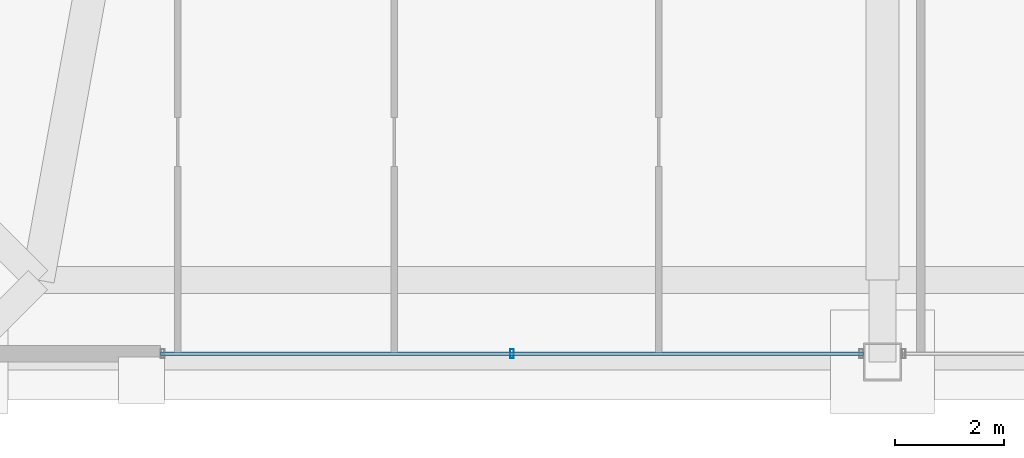
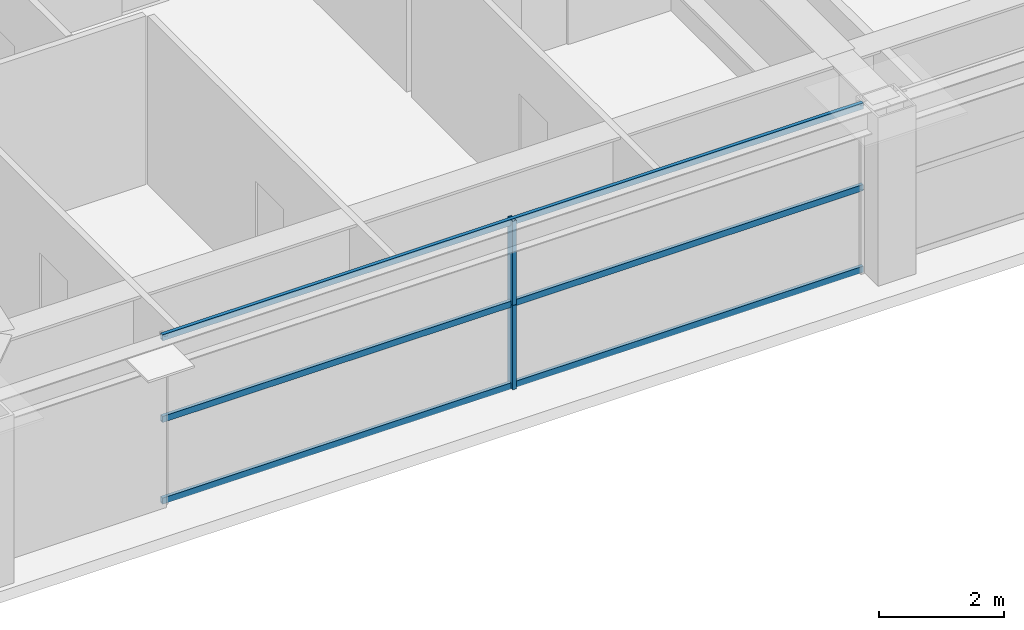
# One storey, part 6 of 33: 5 members, 1 element without a shape of its own.
"""IFC4 building model written with IfcOpenShell, lengths in metres."""

from ifc_helpers import new_model, si_unit, direction, frame, origin, origin_2d, place, context, subcontext, project, spatial, hollow_rectangle, extrude, source, transform, mapped, material, layer, layer_set, material_profile, profile_set, type_object, element, aggregate, save


model = new_model("IFC4")

# Units and contexts
model_context = context("Model", 3, precision=1e-05, world=origin(), true_north=direction((0.0, 1.0)))
body_context = subcontext(model_context, "Body", "Model", "MODEL_VIEW")
ifc_project = project(units=[si_unit("LENGTHUNIT", "METRE"), si_unit("AREAUNIT", "SQUARE_METRE"), si_unit("VOLUMEUNIT", "CUBIC_METRE"), si_unit("PLANEANGLEUNIT", "RADIAN"), si_unit("MASSUNIT", "GRAM", prefix="KILO"), si_unit("THERMODYNAMICTEMPERATUREUNIT", "KELVIN"), si_unit("POWERUNIT", "WATT")], contexts=[model_context])

# Site, building, storey
site_placement = place(None, origin())
site = spatial("IfcSite", under=ifc_project, at=site_placement, CompositionType="ELEMENT")
building_placement = place(site_placement, origin())
building = spatial("IfcBuilding", under=site, at=building_placement, Name="Yuzanri Waterfront Tower", CompositionType="ELEMENT")
storey_placement = place(building_placement, frame((0.0, 0.0, 282.10009765625)))
storey = spatial("IfcBuildingStorey", under=building, at=storey_placement, Name="L75", CompositionType="ELEMENT", Elevation=282.10009765625)

# Curtain wall, members
ifc_material_1 = material(Name="Anodized Architectural Bronze", Category="metal")
ifc_layer = layer(ifc_material_1, 0.159912109375)
ifc_layer_set = layer_set([ifc_layer], Name="Anodized Architectural Bronze")
curtain_wall_type = type_object("IfcCurtainWallType", Name="Anodized Bronze Mid-Rise Residential Acoustic Unitized Curtain Wall 7200", PredefinedType="NOTDEFINED", material=ifc_layer_set)
curtain_wall_placement = place(storey_placement, origin())
curtain_wall = element("IfcCurtainWall", 1, at=curtain_wall_placement, inside=storey, type_object=curtain_wall_type, Name="L75 Curtain Wall CW-L75-SL", PredefinedType="NOTDEFINED")
ifc_material_2 = material(Name="Anodized Architectural Bronze", Category="metal")
ifc_material_profile_1 = material_profile(ifc_material_2, hollow_rectangle(XDim=0.06494140625, YDim=0.159912109375, WallThickness=0.00341796875, at=origin_2d()), Name="CWM 65x160")
ifc_profile_set_1 = profile_set([ifc_material_profile_1], Name="Anodized Architectural Bronze")
member_type_1 = type_object("IfcMemberType", Name="Anodized Bronze Upper-Zone Curtain-Wall Mullion 65x160", PredefinedType="MULLION", material=ifc_profile_set_1)
shared_shape_1 = source(origin(), body_context, "Body", "SweptSolid", [
    extrude(hollow_rectangle(XDim=0.06494140625, YDim=0.159912109375, WallThickness=0.00341796875, at=origin_2d()), origin(), (0.0, 0.0, 1.0), 1.637939453125),
])
member_1_placement = place(storey_placement, frame((30.199951171875, 5.35009765625, 0.0), z_axis=(0.0, 0.0, 1.0), x_axis=(1.0, 0.0, 0.0)))
member_1 = element("IfcMember", 2, at=member_1_placement, type_object=member_type_1, Name="CW-L75-SL Lower Mullion 01", PredefinedType="MULLION", context=body_context, shape_type="MappedRepresentation", body=[
    mapped(shared_shape_1, transform((0.0, 0.0, 0.0), scale=1.0)),
])
member_2_placement = place(storey_placement, frame((30.199951171875, 5.35009765625, 1.641845703125), z_axis=(0.0, 0.0, 1.0), x_axis=(1.0, 0.0, 0.0)))
member_2 = element("IfcMember", 3, at=member_2_placement, type_object=member_type_1, Name="CW-L75-SL Upper Mullion 01", PredefinedType="MULLION", context=body_context, shape_type="MappedRepresentation", body=[
    mapped(shared_shape_1, transform((0.0, 0.0, 0.0), scale=1.0)),
])
ifc_material_3 = material(Name="Anodized Architectural Bronze", Category="metal")
ifc_material_profile_2 = material_profile(ifc_material_3, hollow_rectangle(XDim=0.06494140625, YDim=0.1201171875, WallThickness=0.00341796875, at=origin_2d()), Name="CWT 65x120")
ifc_profile_set_2 = profile_set([ifc_material_profile_2], Name="Anodized Architectural Bronze")
member_type_2 = type_object("IfcMemberType", Name="Anodized Bronze Secondary Curtain-Wall Transom 65x120", PredefinedType="USERDEFINED", material=ifc_profile_set_2)
shared_shape_2 = source(origin(), body_context, "Body", "SweptSolid", [
    extrude(hollow_rectangle(XDim=0.06494140625, YDim=0.1201171875, WallThickness=0.00341796875, at=origin_2d()), origin(), (0.0, 0.0, 1.0), 12.89990234375),
])
member_3_placement = place(storey_placement, frame((23.75, 5.35009765625, 0.0498046875), z_axis=(1.0, 0.0, 0.0), x_axis=(0.0, 1.0, 0.0)))
member_3 = element("IfcMember", 4, at=member_3_placement, type_object=member_type_2, Name="CW-L75-SL Transom 1", ObjectType="TRANSOM", PredefinedType="USERDEFINED", context=body_context, shape_type="MappedRepresentation", body=[
    mapped(shared_shape_2, transform((0.0, 0.0, 0.0), scale=1.0)),
])
member_4_placement = place(storey_placement, frame((23.75, 5.35009765625, 1.639892578125), z_axis=(1.0, 0.0, 0.0), x_axis=(0.0, 1.0, 0.0)))
member_4 = element("IfcMember", 5, at=member_4_placement, type_object=member_type_2, Name="CW-L75-SL Transom 2", ObjectType="TRANSOM", PredefinedType="USERDEFINED", context=body_context, shape_type="MappedRepresentation", body=[
    mapped(shared_shape_2, transform((0.0, 0.0, 0.0), scale=1.0)),
])
member_5_placement = place(storey_placement, frame((23.75, 5.35009765625, 3.22998046875), z_axis=(1.0, 0.0, 0.0), x_axis=(0.0, 1.0, 0.0)))
member_5 = element("IfcMember", 6, at=member_5_placement, type_object=member_type_2, Name="CW-L75-SL Transom 3", ObjectType="TRANSOM", PredefinedType="USERDEFINED", context=body_context, shape_type="MappedRepresentation", body=[
    mapped(shared_shape_2, transform((0.0, 0.0, 0.0), scale=1.0)),
])
aggregate(curtain_wall, [member_1, member_2, member_3, member_4, member_5])

save(model, "model.ifc")
